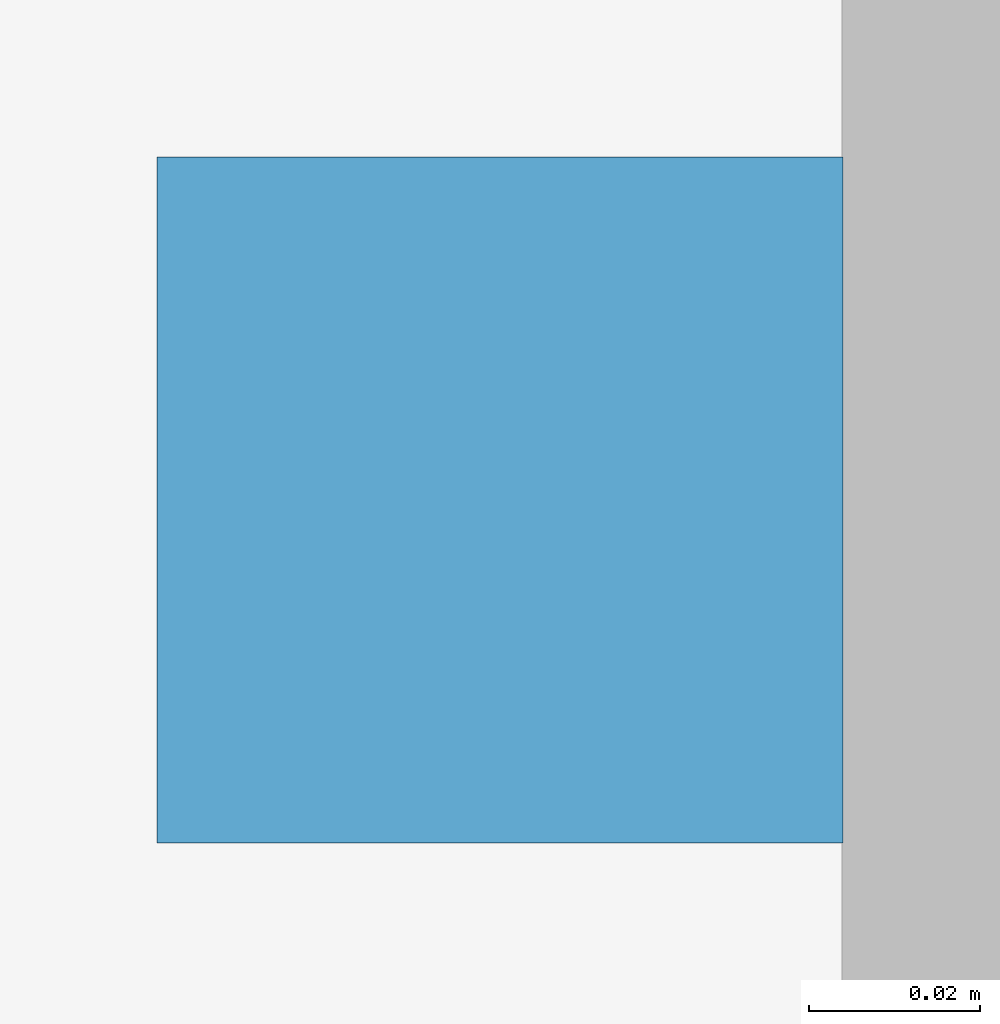
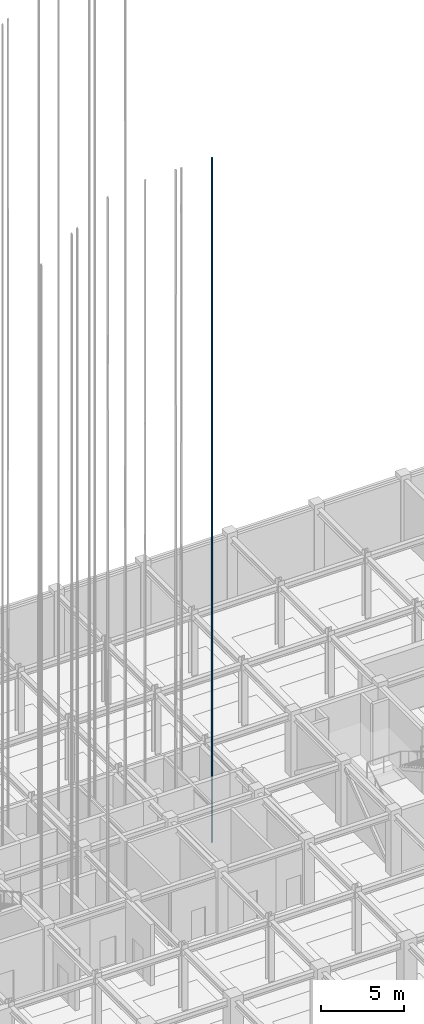
# One storey, part 67 of 69: 1 discrete accessory.
"""IFC4 building model written with IfcOpenShell, lengths in metres."""

from ifc_helpers import new_model, si_unit, direction, frame, origin, origin_2d, place, context, subcontext, project, spatial, rectangle, extrude, material, type_object, element, save


model = new_model("IFC4")

# Units and contexts
model_context = context("Model", 3, precision=1e-05, world=origin(), true_north=direction((0.0, 1.0)))
body_context = subcontext(model_context, "Body", "Model", "MODEL_VIEW")
ifc_project = project(units=[si_unit("LENGTHUNIT", "METRE"), si_unit("AREAUNIT", "SQUARE_METRE"), si_unit("VOLUMEUNIT", "CUBIC_METRE"), si_unit("PLANEANGLEUNIT", "RADIAN"), si_unit("MASSUNIT", "GRAM", prefix="KILO")], contexts=[model_context])

# Site, building, storey
site_placement = place(None, origin())
site = spatial("IfcSite", under=ifc_project, at=site_placement, CompositionType="ELEMENT")
building_placement = place(site_placement, origin())
building = spatial("IfcBuilding", under=site, at=building_placement, Name="Zlatovratsky Civic Hall", CompositionType="ELEMENT")
storey_placement = place(building_placement, frame((0.0, 0.0, -4.800048828125)))
storey = spatial("IfcBuildingStorey", under=building, at=storey_placement, Name="B1", CompositionType="ELEMENT", Elevation=-4.800048828125)

# Discrete accessory
ifc_material = material(Name="Steel S355", Category="steel")
discrete_accessory_type = type_object("IfcDiscreteAccessoryType", Name="Lift_GuideRail", PredefinedType="USERDEFINED", material=ifc_material)
discrete_accessory_placement = place(storey_placement, frame((89.31005859375, 94.14990234375, -1.60009765625), z_axis=(0.0, 0.0, 1.0), x_axis=(1.0, 0.0, 0.0)))
element("IfcDiscreteAccessory", 1, at=discrete_accessory_placement, inside=storey, type_object=discrete_accessory_type, Name="Lift Guide Rail LP-06 R", ObjectType="GUIDE RAIL", PredefinedType="USERDEFINED", context=body_context, shape_type="SweptSolid", body=[
    extrude(rectangle(XDim=0.080078125, YDim=0.080078125, at=origin_2d()), origin(), (0.0, 0.0, 1.0), 50.10009765625),
])

save(model, "model.ifc")
